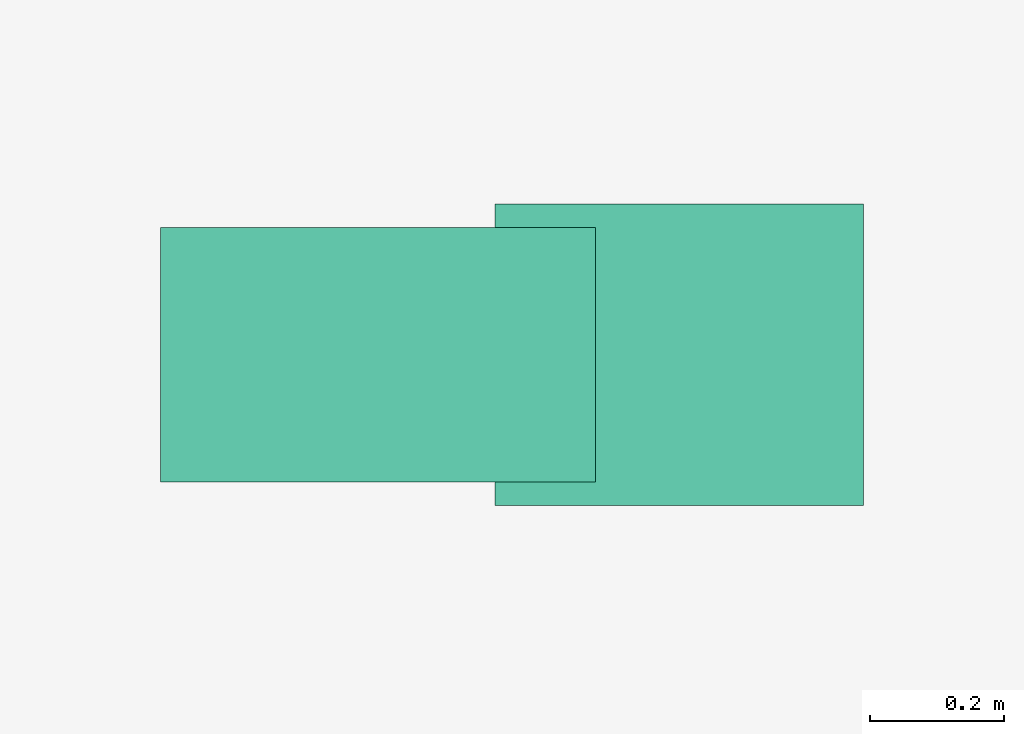
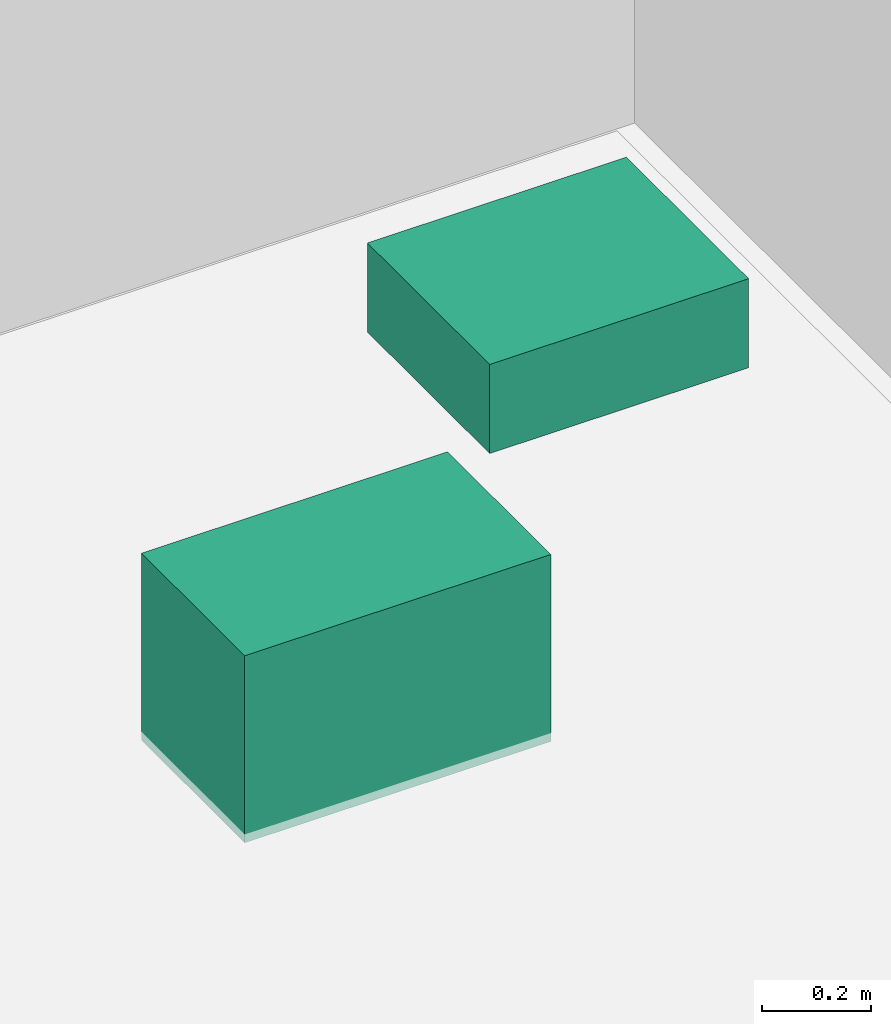
# One storey, part 15 of 15: 2 sanitary terminals.
"""IFC4 building model written with IfcOpenShell, lengths in metres."""

from ifc_helpers import new_model, si_unit, direction, frame, origin, origin_2d, place, context, subcontext, project, spatial, rectangle, extrude, material, type_object, element, save


model = new_model("IFC4")

# Units and contexts
model_context = context("Model", 3, precision=1e-05, world=origin(), true_north=direction((0.0, 1.0)))
body_context = subcontext(model_context, "Body", "Model", "MODEL_VIEW")
ifc_project = project(units=[si_unit("LENGTHUNIT", "METRE"), si_unit("AREAUNIT", "SQUARE_METRE"), si_unit("VOLUMEUNIT", "CUBIC_METRE"), si_unit("PLANEANGLEUNIT", "RADIAN"), si_unit("MASSUNIT", "GRAM", prefix="KILO")], contexts=[model_context])

# Site, building, storey
site_placement = place(None, origin())
site = spatial("IfcSite", under=ifc_project, at=site_placement, CompositionType="ELEMENT")
building_placement = place(site_placement, origin())
building = spatial("IfcBuilding", under=site, at=building_placement, Name="Savorim Split Tower", CompositionType="ELEMENT")
storey_placement = place(building_placement, frame((0.0, 0.0, 301.199951171875)))
storey = spatial("IfcBuildingStorey", under=building, at=storey_placement, Name="Crown L80 Plant", CompositionType="ELEMENT", Elevation=301.199951171875)

# Sanitary terminals
ifc_material = material(Name="Vitreous China Sanitaryware")
sanitary_terminal_type_1 = type_object("IfcSanitaryTerminalType", Name="SAN-WC-PAN", PredefinedType="TOILETPAN", material=ifc_material)
sanitary_terminal_1_placement = place(storey_placement, frame((-2.77490234375, -7.60009765625, 0.0), z_axis=(0.0, 0.0, 1.0), x_axis=(1.0, 0.0, 0.0)))
element("IfcSanitaryTerminal", 1, at=sanitary_terminal_1_placement, inside=storey, type_object=sanitary_terminal_type_1, Name="Crown L80 Plant Accessible WC WC Pan", PredefinedType="TOILETPAN", context=body_context, shape_type="SweptSolid", body=[
    extrude(rectangle(XDim=0.64990234375, YDim=0.3798828125, at=origin_2d()), origin(), (0.0, 0.0, 1.0), 0.419921875),
])
sanitary_terminal_type_2 = type_object("IfcSanitaryTerminalType", Name="SAN-WHB-550", PredefinedType="WASHHANDBASIN", material=ifc_material)
sanitary_terminal_2_placement = place(storey_placement, frame((-2.324951171875, -7.60009765625, 0.72021484375), z_axis=(0.0, 0.0, 1.0), x_axis=(1.0, 0.0, 0.0)))
element("IfcSanitaryTerminal", 2, at=sanitary_terminal_2_placement, inside=storey, type_object=sanitary_terminal_type_2, Name="Crown L80 Plant Accessible WC Washhand Basin", PredefinedType="WASHHANDBASIN", context=body_context, shape_type="SweptSolid", body=[
    extrude(rectangle(XDim=0.550048828125, YDim=0.449951171875, at=origin_2d()), origin(), (0.0, 0.0, 1.0), 0.199951171875),
])

save(model, "model.ifc")
